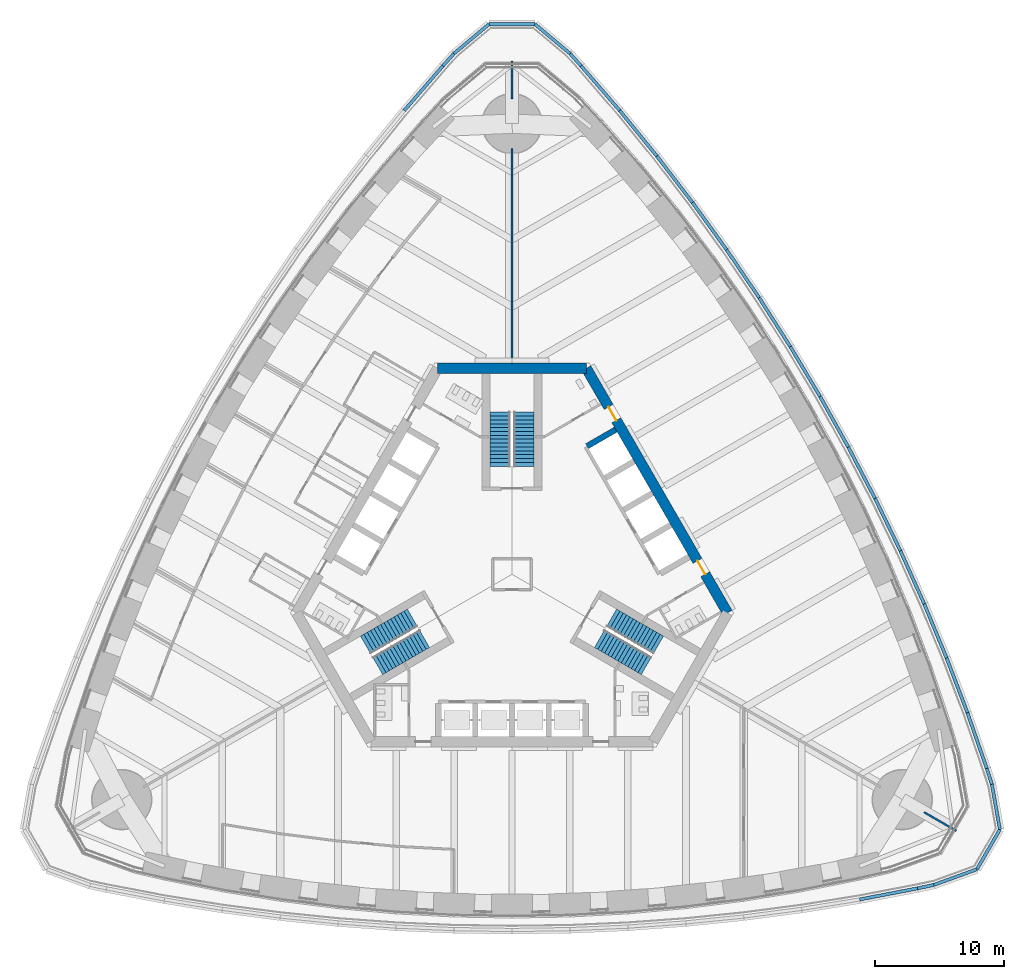
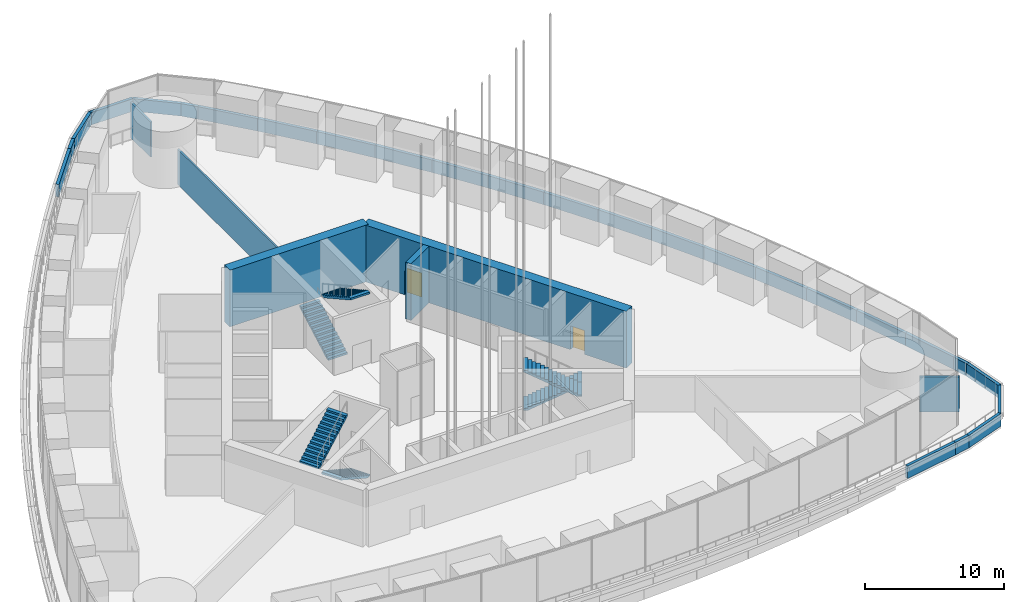
# One storey, part 17 of 33: 32 walls, 6 stair flights, 2 doors, 2 openings, 3 elements without a shape of their own.
"""IFC4 building model written with IfcOpenShell, lengths in metres."""

from ifc_helpers import new_model, si_unit, direction, frame, frame_2d, origin, place, context, subcontext, project, spatial, polyline, rectangle, outline, extrude, material, layer, layer_set, type_object, element, fill, aggregate, save


model = new_model("IFC4")

# Units and contexts
model_context = context("Model", 3, precision=1e-05, world=origin(), true_north=direction((0.0, 1.0)))
body_context = subcontext(model_context, "Body", "Model", "MODEL_VIEW")
ifc_project = project(units=[si_unit("LENGTHUNIT", "METRE"), si_unit("AREAUNIT", "SQUARE_METRE"), si_unit("VOLUMEUNIT", "CUBIC_METRE"), si_unit("PLANEANGLEUNIT", "RADIAN"), si_unit("MASSUNIT", "GRAM", prefix="KILO")], contexts=[model_context])

# Site, building, storey
site_placement = place(None, origin())
site = spatial("IfcSite", under=ifc_project, at=site_placement, CompositionType="ELEMENT")
building_placement = place(site_placement, origin())
building = spatial("IfcBuilding", under=site, at=building_placement, Name="Trefoil Bronze Tower", CompositionType="ELEMENT")
storey_placement = place(building_placement, frame((0.0, 0.0, 98.10009765625)))
storey = spatial("IfcBuildingStorey", under=building, at=storey_placement, Name="L22", CompositionType="ELEMENT", Elevation=98.10009765625)

# Wall, openings, doors
ifc_material_1 = material(Name="Concrete B80", Category="concrete")
ifc_layer_1 = layer(ifc_material_1, 0.800048828125)
ifc_layer_set_1 = layer_set([ifc_layer_1], Name="Core wall 800")
wall_type_1 = type_object("IfcWallType", Name="Core wall 800", PredefinedType="SHEAR", material=ifc_layer_set_1)
wall_1_placement = place(storey_placement, frame((16.7431640625, -3.0, 0.0), z_axis=(0.0, 0.0, 1.0), x_axis=(-0.500002442456, 0.866023993627, 0.0)))
wall_1 = element("IfcWall", 1, at=wall_1_placement, inside=storey, type_object=wall_type_1, Name="Core long wall 2 L22", PredefinedType="SHEAR", context=body_context, shape_type="SweptSolid", body=[
    extrude(rectangle(XDim=21.939453125, YDim=0.800048828125, at=frame_2d((10.9697265625, 0.0))), origin(), (0.0, 0.0, 1.0), 5.0),
])
opening_1_placement = place(wall_1_placement, frame((17.269775390625, 0.0, 0.0)))
opening_1 = element("IfcOpeningElement", 2, at=opening_1_placement, cuts=wall_1, Name="Opening D2", PredefinedType="OPENING", context=body_context, shape_type="SweptSolid", body=[
    extrude(rectangle(XDim=1.199951171875, YDim=2.10009765625, at=frame_2d((0.60009765625, 1.050048828125))), frame((0.0, 0.409912109375, 0.0), z_axis=(0.0, -1.0, 0.0), x_axis=(1.0, 0.0, 0.0)), (0.0, 0.0, 1.0), 0.820068359375),
])
opening_2_placement = place(wall_1_placement, frame((3.4697265625, 0.0, 0.0)))
opening_2 = element("IfcOpeningElement", 3, at=opening_2_placement, cuts=wall_1, Name="Opening D2", PredefinedType="OPENING", context=body_context, shape_type="SweptSolid", body=[
    extrude(rectangle(XDim=1.199951171875, YDim=2.10009765625, at=frame_2d((0.60009765625, 1.050048828125))), frame((0.0, 0.409912109375, 0.0), z_axis=(0.0, -1.0, 0.0), x_axis=(1.0, 0.0, 0.0)), (0.0, 0.0, 1.0), 0.820068359375),
])
ifc_material_2 = material(Name="Steel door", Category="steel")
door_type = type_object("IfcDoorType", Name="Lobby door 1200", OperationType="SINGLE_SWING_RIGHT", PredefinedType="DOOR", material=ifc_material_2)
door_1_placement = place(opening_1_placement, origin())
door_1 = element("IfcDoor", 4, at=door_1_placement, inside=storey, type_object=door_type, Name="Lobby door F2+ L22", OperationType="SINGLE_SWING_RIGHT", OverallHeight=2.10009765625, OverallWidth=1.199951171875, PredefinedType="DOOR", context=body_context, shape_type="SweptSolid", body=[
    extrude(rectangle(XDim=1.199951171875, YDim=2.10009765625, at=frame_2d((0.60009765625, 1.050048828125))), frame((0.0, 0.02490234375, 0.0), z_axis=(0.0, -1.0, 0.0), x_axis=(1.0, 0.0, 0.0)), (0.0, 0.0, 1.0), 0.050048828125),
])
fill(opening_1, door_1)
door_2_placement = place(opening_2_placement, origin())
door_2 = element("IfcDoor", 5, at=door_2_placement, inside=storey, type_object=door_type, Name="Lobby door F2- L22", OperationType="SINGLE_SWING_LEFT", OverallHeight=2.10009765625, OverallWidth=1.199951171875, PredefinedType="DOOR", context=body_context, shape_type="SweptSolid", body=[
    extrude(rectangle(XDim=1.199951171875, YDim=2.10009765625, at=frame_2d((0.60009765625, 1.050048828125))), frame((0.0, 0.02490234375, 0.0), z_axis=(0.0, -1.0, 0.0), x_axis=(1.0, 0.0, 0.0)), (0.0, 0.0, 1.0), 0.050048828125),
])
fill(opening_2, door_2)

# Walls
wall_2_placement = place(storey_placement, frame((5.7734375, 16.0, 0.0), z_axis=(0.0, 0.0, 1.0), x_axis=(-1.0, 0.0, 0.0)))
element("IfcWall", 6, at=wall_2_placement, inside=storey, type_object=wall_type_1, Name="Core short wall 2 L22", PredefinedType="SHEAR", context=body_context, shape_type="SweptSolid", body=[
    extrude(rectangle(XDim=11.546875, YDim=0.800048828125, at=frame_2d((5.7734375, 0.0))), origin(), (0.0, 0.0, 1.0), 5.0),
])
ifc_material_3 = material(Name="Concrete B80", Category="concrete")
ifc_layer_2 = layer(ifc_material_3, 0.449951171875)
ifc_layer_set_2 = layer_set([ifc_layer_2], Name="Outrigger shaft wall 450")
wall_type_2 = type_object("IfcWallType", Name="Outrigger shaft wall 450", PredefinedType="SHEAR", material=ifc_layer_set_2)
wall_3_placement = place(storey_placement, frame((5.831787109375, 9.94873046875, 0.0), z_axis=(0.0, 0.0, 1.0), x_axis=(0.866029291668, 0.499993265928, 0.0)))
element("IfcWall", 7, at=wall_3_placement, inside=storey, type_object=wall_type_2, Name="Lift shaft side wall B4 L22", PredefinedType="SHEAR", context=body_context, shape_type="SweptSolid", body=[
    extrude(rectangle(XDim=2.5751953125, YDim=0.449951171875, at=frame_2d((1.28759765625, 0.0))), origin(), (0.0, 0.0, 1.0), 5.0),
])
ifc_material_4 = material(Name="Concrete B80", Category="concrete")
ifc_layer_3 = layer(ifc_material_4, 0.25)
ifc_layer_set_3 = layer_set([ifc_layer_3], Name="Parapet 250")
wall_type_3 = type_object("IfcWallType", Name="Parapet 250", PredefinedType="PARAPET", material=ifc_layer_set_3)
wall_4_placement = place(storey_placement, frame((27.0, -25.25537109375, 0.0), z_axis=(0.0, 0.0, 1.0), x_axis=(0.982052021543, 0.188610251533, 0.0)))
element("IfcWall", 8, at=wall_4_placement, inside=storey, type_object=wall_type_3, Name="Parapet L22.15", PredefinedType="PARAPET", context=body_context, shape_type="SweptSolid", body=[
    extrude(rectangle(XDim=4.582275390625, YDim=0.25, at=frame_2d((2.291015625, 0.0))), origin(), (0.0, 0.0, 1.0), 1.099853515625),
])
wall_5_placement = place(storey_placement, frame((31.5, -24.39111328125, 0.0), z_axis=(0.0, 0.0, 1.0), x_axis=(0.978306217861, 0.207164051162, 0.0)))
element("IfcWall", 9, at=wall_5_placement, inside=storey, type_object=wall_type_3, Name="Parapet L22.16", PredefinedType="PARAPET", context=body_context, shape_type="SweptSolid", body=[
    extrude(rectangle(XDim=1.29052734375, YDim=0.25, at=frame_2d((0.645263671875, 0.0))), origin(), (0.0, 0.0, 1.0), 1.099853515625),
])
for number, where, z_axis, x_axis, name in (
    (10, (32.762451171875, -24.123779296875, 0.0), (0.0, 0.0, 1.0), (0.939695347797, 0.342012650832, 0.0), "Parapet L22.17"),
    (11, (36.1103515625, -22.9052734375, 0.0), (0.0, 0.0, 1.0), (0.499971593552, 0.866041803634, 0.0), "Parapet L22.18"),
    (12, (37.8916015625, -19.81982421875, 0.0), (0.0, 0.0, 1.0), (-0.17364850733, 0.984807694884, 0.0), "Parapet L22.19"),
):
    element("IfcWall", number, at=place(storey_placement, frame(where, z_axis=z_axis, x_axis=x_axis)), inside=storey, type_object=wall_type_3, Name=name, PredefinedType="PARAPET", context=body_context, shape_type="SweptSolid", body=[
        extrude(rectangle(XDim=3.562744140625, YDim=0.25, at=frame_2d((1.78125, 0.0))), origin(), (0.0, 0.0, 1.0), 1.099853515625),
    ])
wall_6_placement = place(storey_placement, frame((37.27294921875, -16.311279296875, 0.0), z_axis=(0.0, 0.0, 1.0), x_axis=(-0.309693449929, 0.950836456532, 0.0)))
element("IfcWall", 13, at=wall_6_placement, inside=storey, type_object=wall_type_3, Name="Parapet L22.20", PredefinedType="PARAPET", context=body_context, shape_type="SweptSolid", body=[
    extrude(rectangle(XDim=1.29052734375, YDim=0.25, at=frame_2d((0.645263671875, 0.0))), origin(), (0.0, 0.0, 1.0), 1.099853515625),
])
wall_7_placement = place(storey_placement, frame((36.873291015625, -15.084228515625, 0.0), z_axis=(0.0, 0.0, 1.0), x_axis=(-0.327664973678, 0.944793980201, 0.0)))
element("IfcWall", 14, at=wall_7_placement, inside=storey, type_object=wall_type_3, Name="Parapet L22.21", PredefinedType="PARAPET", context=body_context, shape_type="SweptSolid", body=[
    extrude(rectangle(XDim=4.582275390625, YDim=0.25, at=frame_2d((2.291015625, 0.0))), origin(), (0.0, 0.0, 1.0), 1.099853515625),
])
wall_8_placement = place(storey_placement, frame((35.371826171875, -10.7548828125, 0.0), z_axis=(0.0, 0.0, 1.0), x_axis=(-0.355369393324, 0.934725946087, 0.0)))
element("IfcWall", 15, at=wall_8_placement, inside=storey, type_object=wall_type_3, Name="Parapet L22.22", PredefinedType="PARAPET", context=body_context, shape_type="SweptSolid", body=[
    extrude(rectangle(XDim=4.558349609375, YDim=0.25, at=frame_2d((2.279296875, 0.0))), origin(), (0.0, 0.0, 1.0), 1.099853515625),
])
wall_9_placement = place(storey_placement, frame((33.751953125, -6.494140625, 0.0), z_axis=(0.0, 0.0, 1.0), x_axis=(-0.382639984525, 0.923897527999, 0.0)))
element("IfcWall", 16, at=wall_9_placement, inside=storey, type_object=wall_type_3, Name="Parapet L22.23", PredefinedType="PARAPET", context=body_context, shape_type="SweptSolid", body=[
    extrude(rectangle(XDim=4.5390625, YDim=0.25, at=frame_2d((2.26953125, 0.0))), origin(), (0.0, 0.0, 1.0), 1.099853515625),
])
wall_10_placement = place(storey_placement, frame((32.01513671875, -2.300537109375, 0.0), z_axis=(0.0, 0.0, 1.0), x_axis=(-0.409451055745, 0.912332084796, 0.0)))
element("IfcWall", 17, at=wall_10_placement, inside=storey, type_object=wall_type_3, Name="Parapet L22.24", PredefinedType="PARAPET", context=body_context, shape_type="SweptSolid", body=[
    extrude(rectangle(XDim=4.523193359375, YDim=0.25, at=frame_2d((2.26171875, 0.0))), origin(), (0.0, 0.0, 1.0), 1.099853515625),
])
wall_11_placement = place(storey_placement, frame((30.1630859375, 1.826171875, 0.0), z_axis=(0.0, 0.0, 1.0), x_axis=(-0.435857917556, 0.900015486369, 0.0)))
element("IfcWall", 18, at=wall_11_placement, inside=storey, type_object=wall_type_3, Name="Parapet L22.25", PredefinedType="PARAPET", context=body_context, shape_type="SweptSolid", body=[
    extrude(rectangle(XDim=4.511962890625, YDim=0.25, at=frame_2d((2.255859375, 0.0))), origin(), (0.0, 0.0, 1.0), 1.099853515625),
])
wall_12_placement = place(storey_placement, frame((28.196533203125, 5.886962890625, 0.0), z_axis=(0.0, 0.0, 1.0), x_axis=(-0.461852697957, 0.886956642339, 0.0)))
element("IfcWall", 19, at=wall_12_placement, inside=storey, type_object=wall_type_3, Name="Parapet L22.26", PredefinedType="PARAPET", context=body_context, shape_type="SweptSolid", body=[
    extrude(rectangle(XDim=4.50439453125, YDim=0.25, at=frame_2d((2.252197265625, 0.0))), origin(), (0.0, 0.0, 1.0), 1.099853515625),
])
wall_13_placement = place(storey_placement, frame((26.1162109375, 9.882080078125, 0.0), z_axis=(0.0, 0.0, 1.0), x_axis=(-0.487373854787, 0.873193406795, 0.0)))
element("IfcWall", 20, at=wall_13_placement, inside=storey, type_object=wall_type_3, Name="Parapet L22.27", PredefinedType="PARAPET", context=body_context, shape_type="SweptSolid", body=[
    extrude(rectangle(XDim=4.500244140625, YDim=0.25, at=frame_2d((2.25, 0.0))), origin(), (0.0, 0.0, 1.0), 1.099853515625),
])
wall_14_placement = place(storey_placement, frame((23.9228515625, 13.811767578125, 0.0), z_axis=(0.0, 0.0, 1.0), x_axis=(-0.51252396108, 0.858672923364, 0.0)))
element("IfcWall", 21, at=wall_14_placement, inside=storey, type_object=wall_type_3, Name="Parapet L22.28", PredefinedType="PARAPET", context=body_context, shape_type="SweptSolid", body=[
    extrude(rectangle(XDim=4.50048828125, YDim=0.25, at=frame_2d((2.250244140625, 0.0))), origin(), (0.0, 0.0, 1.0), 1.099853515625),
])
wall_15_placement = place(storey_placement, frame((21.6162109375, 17.67626953125, 0.0), z_axis=(0.0, 0.0, 1.0), x_axis=(-0.537205132487, 0.843451626135, 0.0)))
element("IfcWall", 22, at=wall_15_placement, inside=storey, type_object=wall_type_3, Name="Parapet L22.29", PredefinedType="PARAPET", context=body_context, shape_type="SweptSolid", body=[
    extrude(rectangle(XDim=4.504150390625, YDim=0.25, at=frame_2d((2.251953125, 0.0))), origin(), (0.0, 0.0, 1.0), 1.099853515625),
])
wall_16_placement = place(storey_placement, frame((19.196533203125, 21.475341796875, 0.0), z_axis=(0.0, 0.0, 1.0), x_axis=(-0.561512004239, 0.827468591002, 0.0)))
element("IfcWall", 23, at=wall_16_placement, inside=storey, type_object=wall_type_3, Name="Parapet L22.30", PredefinedType="PARAPET", context=body_context, shape_type="SweptSolid", body=[
    extrude(rectangle(XDim=4.51171875, YDim=0.25, at=frame_2d((2.255859375, 0.0))), origin(), (0.0, 0.0, 1.0), 1.099853515625),
])
wall_17_placement = place(storey_placement, frame((16.6630859375, 25.208740234375, 0.0), z_axis=(0.0, 0.0, 1.0), x_axis=(-0.585376255171, 0.810761765183, 0.0)))
element("IfcWall", 24, at=wall_17_placement, inside=storey, type_object=wall_type_3, Name="Parapet L22.31", PredefinedType="PARAPET", context=body_context, shape_type="SweptSolid", body=[
    extrude(rectangle(XDim=4.5234375, YDim=0.25, at=frame_2d((2.26171875, 0.0))), origin(), (0.0, 0.0, 1.0), 1.099853515625),
])
wall_18_placement = place(storey_placement, frame((14.01513671875, 28.876220703125, 0.0), z_axis=(0.0, 0.0, 1.0), x_axis=(-0.608784932975, 0.79333530451, 0.0)))
element("IfcWall", 25, at=wall_18_placement, inside=storey, type_object=wall_type_3, Name="Parapet L22.32", PredefinedType="PARAPET", context=body_context, shape_type="SweptSolid", body=[
    extrude(rectangle(XDim=4.538818359375, YDim=0.25, at=frame_2d((2.26953125, 0.0))), origin(), (0.0, 0.0, 1.0), 1.099853515625),
])
wall_19_placement = place(storey_placement, frame((11.251953125, 32.47705078125, 0.0), z_axis=(0.0, 0.0, 1.0), x_axis=(-0.631833879056, 0.775103831288, 0.0)))
element("IfcWall", 26, at=wall_19_placement, inside=storey, type_object=wall_type_3, Name="Parapet L22.33", PredefinedType="PARAPET", context=body_context, shape_type="SweptSolid", body=[
    extrude(rectangle(XDim=4.558349609375, YDim=0.25, at=frame_2d((2.279296875, 0.0))), origin(), (0.0, 0.0, 1.0), 1.099853515625),
])
wall_20_placement = place(storey_placement, frame((8.371826171875, 36.01025390625, 0.0), z_axis=(0.0, 0.0, 1.0), x_axis=(-0.654364441553, 0.756179329016, 0.0)))
element("IfcWall", 27, at=wall_20_placement, inside=storey, type_object=wall_type_3, Name="Parapet L22.34", PredefinedType="PARAPET", context=body_context, shape_type="SweptSolid", body=[
    extrude(rectangle(XDim=4.582275390625, YDim=0.25, at=frame_2d((2.291015625, 0.0))), origin(), (0.0, 0.0, 1.0), 1.099853515625),
])
wall_21_placement = place(storey_placement, frame((5.373291015625, 39.475341796875, 0.0), z_axis=(0.0, 0.0, 1.0), x_axis=(-0.668651072353, 0.743576319849, 0.0)))
element("IfcWall", 28, at=wall_21_placement, inside=storey, type_object=wall_type_3, Name="Parapet L22.35", PredefinedType="PARAPET", context=body_context, shape_type="SweptSolid", body=[
    extrude(rectangle(XDim=1.290283203125, YDim=0.25, at=frame_2d((0.64501953125, 0.0))), origin(), (0.0, 0.0, 1.0), 1.099853515625),
])
wall_22_placement = place(storey_placement, frame((4.510498046875, 40.434814453125, 0.0), z_axis=(0.0, 0.0, 1.0), x_axis=(-0.766020647606, 0.642815967009, 0.0)))
element("IfcWall", 29, at=wall_22_placement, inside=storey, type_object=wall_type_3, Name="Parapet L22.36", PredefinedType="PARAPET", context=body_context, shape_type="SweptSolid", body=[
    extrude(rectangle(XDim=3.56298828125, YDim=0.25, at=frame_2d((1.781494140625, 0.0))), origin(), (0.0, 0.0, 1.0), 1.099853515625),
])
wall_23_placement = place(storey_placement, frame((1.78125, 42.72509765625, 0.0), z_axis=(0.0, 0.0, 1.0), x_axis=(-1.0, 0.0, 0.0)))
element("IfcWall", 30, at=wall_23_placement, inside=storey, type_object=wall_type_3, Name="Parapet L22.37", PredefinedType="PARAPET", context=body_context, shape_type="SweptSolid", body=[
    extrude(rectangle(XDim=3.5625, YDim=0.25, at=frame_2d((1.78125, 0.0))), origin(), (0.0, 0.0, 1.0), 1.099853515625),
])
wall_24_placement = place(storey_placement, frame((-1.78125, 42.72509765625, 0.0), z_axis=(0.0, 0.0, 1.0), x_axis=(-0.766020647606, -0.642815967009, 0.0)))
element("IfcWall", 31, at=wall_24_placement, inside=storey, type_object=wall_type_3, Name="Parapet L22.38", PredefinedType="PARAPET", context=body_context, shape_type="SweptSolid", body=[
    extrude(rectangle(XDim=3.56298828125, YDim=0.25, at=frame_2d((1.781494140625, 0.0))), origin(), (0.0, 0.0, 1.0), 1.099853515625),
])
wall_25_placement = place(storey_placement, frame((-4.510498046875, 40.434814453125, 0.0), z_axis=(0.0, 0.0, 1.0), x_axis=(-0.668651072353, -0.743576319849, 0.0)))
element("IfcWall", 32, at=wall_25_placement, inside=storey, type_object=wall_type_3, Name="Parapet L22.39", PredefinedType="PARAPET", context=body_context, shape_type="SweptSolid", body=[
    extrude(rectangle(XDim=1.290283203125, YDim=0.25, at=frame_2d((0.64501953125, 0.0))), origin(), (0.0, 0.0, 1.0), 1.099853515625),
])
wall_26_placement = place(storey_placement, frame((-5.373291015625, 39.475341796875, 0.0), z_axis=(0.0, 0.0, 1.0), x_axis=(-0.654364441553, -0.756179329016, 0.0)))
element("IfcWall", 33, at=wall_26_placement, inside=storey, type_object=wall_type_3, Name="Parapet L22.40", PredefinedType="PARAPET", context=body_context, shape_type="SweptSolid", body=[
    extrude(rectangle(XDim=4.582275390625, YDim=0.25, at=frame_2d((2.291015625, 0.0))), origin(), (0.0, 0.0, 1.0), 1.099853515625),
])
ifc_material_5 = material(Name="Gypsum board on steel studs", Category="steel")
ifc_layer_4 = layer(ifc_material_5, 0.14990234375)
ifc_layer_set_4 = layer_set([ifc_layer_4], Name="Party wall 150")
wall_type_4 = type_object("IfcWallType", Name="Party wall 150", PredefinedType="PARTITIONING", material=ifc_layer_set_4)
wall_27_placement = place(storey_placement, frame((31.999755859375, -18.47509765625, 0.0), z_axis=(0.0, 0.0, 1.0), x_axis=(0.866042548026, -0.499970304126, 0.0)))
element("IfcWall", 34, at=wall_27_placement, inside=storey, type_object=wall_type_4, Name="Party wall K1 L22", PredefinedType="PARTITIONING", context=body_context, shape_type="SweptSolid", body=[
    extrude(rectangle(XDim=2.899169921875, YDim=0.14990234375, at=frame_2d((1.44970703125, 0.0))), origin(), (0.0, 0.0, 1.0), 3.099853515625),
])
wall_28_placement = place(storey_placement, frame((0.0, 16.39990234375, 0.0), z_axis=(0.0, 0.0, 1.0), x_axis=(0.0, 1.0, 0.0)))
element("IfcWall", 35, at=wall_28_placement, inside=storey, type_object=wall_type_4, Name="Party wall K2 L22", PredefinedType="PARTITIONING", context=body_context, shape_type="SweptSolid", body=[
    extrude(rectangle(XDim=16.650146484375, YDim=0.14990234375, at=frame_2d((8.3251953125, 0.0))), origin(), (0.0, 0.0, 1.0), 3.099853515625),
])
wall_29_placement = place(storey_placement, frame((0.0, 36.949951171875, 0.0), z_axis=(0.0, 0.0, 1.0), x_axis=(0.0, 1.0, 0.0)))
element("IfcWall", 36, at=wall_29_placement, inside=storey, type_object=wall_type_4, Name="Party wall K2 L22", PredefinedType="PARTITIONING", context=body_context, shape_type="SweptSolid", body=[
    extrude(rectangle(XDim=2.8994140625, YDim=0.14990234375, at=frame_2d((1.44970703125, 0.0))), origin(), (0.0, 0.0, 1.0), 3.099853515625),
])

# Stair, stair flights
ifc_material_6 = material(Name="Precast concrete B80", Category="concrete")
stair_type = type_object("IfcStairType", Name="Exit stair 30 risers", PredefinedType="HALF_TURN_STAIR", material=ifc_material_6)
stair_1_placement = place(storey_placement, origin())
stair_1 = element("IfcStair", 37, at=stair_1_placement, inside=storey, type_object=stair_type, Name="Stair ST1 L22", PredefinedType="HALF_TURN_STAIR")
ifc_material_7 = material(Name="Precast concrete B80", Category="concrete")
stair_flight_type = type_object("IfcStairFlightType", Name="Stair flight 1600", PredefinedType="STRAIGHT", material=ifc_material_7)
stair_flight_1_placement = place(storey_placement, frame((7.728515625, -3.39404296875, 0.0), z_axis=(0.0, 0.0, 1.0), x_axis=(0.866025403784, -0.5, 0.0)))
stair_flight_1 = element("IfcStairFlight", 38, at=stair_flight_1_placement, type_object=stair_flight_type, Name="ST1 flight 1", NumberOfRisers=15, NumberOfTreads=14, PredefinedType="STRAIGHT", RiserHeight=0.166666667, TreadLength=0.3, context=body_context, shape_type="SweptSolid", body=[
    extrude(outline(polyline([(0.0, 0.0), (0.0, 0.166748046875), (0.300048828125, 0.166748046875), (0.300048828125, 0.333251953125), (0.60009765625, 0.333251953125), (0.60009765625, 0.5), (0.89990234375, 0.5), (0.89990234375, 0.666748046875), (1.199951171875, 0.666748046875), (1.199951171875, 0.833251953125), (1.5, 0.833251953125), (1.5, 1.0), (1.800048828125, 1.0), (1.800048828125, 1.166748046875), (2.10009765625, 1.166748046875), (2.10009765625, 1.333251953125), (2.39990234375, 1.333251953125), (2.39990234375, 1.5), (2.699951171875, 1.5), (2.699951171875, 1.666748046875), (3.0, 1.666748046875), (3.0, 1.833251953125), (3.300048828125, 1.833251953125), (3.300048828125, 2.0), (3.60009765625, 2.0), (3.60009765625, 2.166748046875), (3.89990234375, 2.166748046875), (3.89990234375, 2.333251953125), (4.199951171875, 2.333251953125), (4.199951171875, 2.5), (4.199951171875, 2.161865234375), (0.30859375, 0.0), (0.0, 0.0)])), frame((0.0, 0.800048828125, 0.0), z_axis=(0.0, -1.0, 0.0), x_axis=(1.0, 0.0, 0.0)), (0.0, 0.0, 1.0), 1.60009765625),
])
stair_flight_2_placement = place(storey_placement, frame((10.440673828125, -7.09619140625, 2.5), z_axis=(0.0, 0.0, 1.0), x_axis=(-0.866025403784, 0.5, 0.0)))
stair_flight_2 = element("IfcStairFlight", 39, at=stair_flight_2_placement, type_object=stair_flight_type, Name="ST1 flight 2", NumberOfRisers=15, NumberOfTreads=14, PredefinedType="STRAIGHT", RiserHeight=0.166666667, TreadLength=0.3, context=body_context, shape_type="SweptSolid", body=[
    extrude(outline(polyline([(0.0, 0.0), (0.0, 0.166748046875), (0.300048828125, 0.166748046875), (0.300048828125, 0.333251953125), (0.60009765625, 0.333251953125), (0.60009765625, 0.5), (0.89990234375, 0.5), (0.89990234375, 0.666748046875), (1.199951171875, 0.666748046875), (1.199951171875, 0.833251953125), (1.5, 0.833251953125), (1.5, 1.0), (1.800048828125, 1.0), (1.800048828125, 1.166748046875), (2.10009765625, 1.166748046875), (2.10009765625, 1.333251953125), (2.39990234375, 1.333251953125), (2.39990234375, 1.5), (2.699951171875, 1.5), (2.699951171875, 1.666748046875), (3.0, 1.666748046875), (3.0, 1.833251953125), (3.300048828125, 1.833251953125), (3.300048828125, 2.0), (3.60009765625, 2.0), (3.60009765625, 2.166748046875), (3.89990234375, 2.166748046875), (3.89990234375, 2.333251953125), (4.199951171875, 2.333251953125), (4.199951171875, 2.5), (4.199951171875, 2.161865234375), (0.30859375, 0.0), (0.0, 0.0)])), frame((0.0, 0.800048828125, 0.0), z_axis=(0.0, -1.0, 0.0), x_axis=(1.0, 0.0, 0.0)), (0.0, 0.0, 1.0), 1.60009765625),
])
aggregate(stair_1, [stair_flight_1, stair_flight_2])

stair_2_placement = place(storey_placement, origin())
stair_2 = element("IfcStair", 40, at=stair_2_placement, inside=storey, type_object=stair_type, Name="Stair ST2 L22", PredefinedType="HALF_TURN_STAIR")
stair_flight_3_placement = place(storey_placement, frame((-0.925048828125, 8.389892578125, 0.0), z_axis=(0.0, 0.0, 1.0), x_axis=(0.0, 1.0, 0.0)))
stair_flight_3 = element("IfcStairFlight", 41, at=stair_flight_3_placement, type_object=stair_flight_type, Name="ST2 flight 1", NumberOfRisers=15, NumberOfTreads=14, PredefinedType="STRAIGHT", RiserHeight=0.166666667, TreadLength=0.3, context=body_context, shape_type="SweptSolid", body=[
    extrude(outline(polyline([(0.0, 0.0), (0.0, 0.166748046875), (0.300048828125, 0.166748046875), (0.300048828125, 0.333251953125), (0.60009765625, 0.333251953125), (0.60009765625, 0.5), (0.89990234375, 0.5), (0.89990234375, 0.666748046875), (1.199951171875, 0.666748046875), (1.199951171875, 0.833251953125), (1.5, 0.833251953125), (1.5, 1.0), (1.800048828125, 1.0), (1.800048828125, 1.166748046875), (2.10009765625, 1.166748046875), (2.10009765625, 1.333251953125), (2.39990234375, 1.333251953125), (2.39990234375, 1.5), (2.699951171875, 1.5), (2.699951171875, 1.666748046875), (3.0, 1.666748046875), (3.0, 1.833251953125), (3.300048828125, 1.833251953125), (3.300048828125, 2.0), (3.60009765625, 2.0), (3.60009765625, 2.166748046875), (3.89990234375, 2.166748046875), (3.89990234375, 2.333251953125), (4.199951171875, 2.333251953125), (4.199951171875, 2.5), (4.199951171875, 2.161865234375), (0.30859375, 0.0), (0.0, 0.0)])), frame((0.0, 0.800048828125, 0.0), z_axis=(0.0, -1.0, 0.0), x_axis=(1.0, 0.0, 0.0)), (0.0, 0.0, 1.0), 1.60009765625),
])
stair_flight_4_placement = place(storey_placement, frame((0.925048828125, 12.590087890625, 2.5), z_axis=(0.0, 0.0, 1.0), x_axis=(0.0, -1.0, 0.0)))
stair_flight_4 = element("IfcStairFlight", 42, at=stair_flight_4_placement, type_object=stair_flight_type, Name="ST2 flight 2", NumberOfRisers=15, NumberOfTreads=14, PredefinedType="STRAIGHT", RiserHeight=0.166666667, TreadLength=0.3, context=body_context, shape_type="SweptSolid", body=[
    extrude(outline(polyline([(0.0, 0.0), (0.0, 0.166748046875), (0.300048828125, 0.166748046875), (0.300048828125, 0.333251953125), (0.60009765625, 0.333251953125), (0.60009765625, 0.5), (0.89990234375, 0.5), (0.89990234375, 0.666748046875), (1.199951171875, 0.666748046875), (1.199951171875, 0.833251953125), (1.5, 0.833251953125), (1.5, 1.0), (1.800048828125, 1.0), (1.800048828125, 1.166748046875), (2.10009765625, 1.166748046875), (2.10009765625, 1.333251953125), (2.39990234375, 1.333251953125), (2.39990234375, 1.5), (2.699951171875, 1.5), (2.699951171875, 1.666748046875), (3.0, 1.666748046875), (3.0, 1.833251953125), (3.300048828125, 1.833251953125), (3.300048828125, 2.0), (3.60009765625, 2.0), (3.60009765625, 2.166748046875), (3.89990234375, 2.166748046875), (3.89990234375, 2.333251953125), (4.199951171875, 2.333251953125), (4.199951171875, 2.5), (4.199951171875, 2.161865234375), (0.30859375, 0.0), (0.0, 0.0)])), frame((0.0, 0.800048828125, 0.0), z_axis=(0.0, -1.0, 0.0), x_axis=(1.0, 0.0, 0.0)), (0.0, 0.0, 1.0), 1.60009765625),
])
aggregate(stair_2, [stair_flight_3, stair_flight_4])

stair_3_placement = place(storey_placement, origin())
stair_3 = element("IfcStair", 43, at=stair_3_placement, inside=storey, type_object=stair_type, Name="Stair ST3 L22", PredefinedType="HALF_TURN_STAIR")
stair_flight_5_placement = place(storey_placement, frame((-6.803466796875, -4.99609375, 0.0), z_axis=(0.0, 0.0, 1.0), x_axis=(-0.866025403784, -0.5, 0.0)))
stair_flight_5 = element("IfcStairFlight", 44, at=stair_flight_5_placement, type_object=stair_flight_type, Name="ST3 flight 1", NumberOfRisers=15, NumberOfTreads=14, PredefinedType="STRAIGHT", RiserHeight=0.166666667, TreadLength=0.3, context=body_context, shape_type="SweptSolid", body=[
    extrude(outline(polyline([(0.0, 0.0), (0.0, 0.166748046875), (0.300048828125, 0.166748046875), (0.300048828125, 0.333251953125), (0.60009765625, 0.333251953125), (0.60009765625, 0.5), (0.89990234375, 0.5), (0.89990234375, 0.666748046875), (1.199951171875, 0.666748046875), (1.199951171875, 0.833251953125), (1.5, 0.833251953125), (1.5, 1.0), (1.800048828125, 1.0), (1.800048828125, 1.166748046875), (2.10009765625, 1.166748046875), (2.10009765625, 1.333251953125), (2.39990234375, 1.333251953125), (2.39990234375, 1.5), (2.699951171875, 1.5), (2.699951171875, 1.666748046875), (3.0, 1.666748046875), (3.0, 1.833251953125), (3.300048828125, 1.833251953125), (3.300048828125, 2.0), (3.60009765625, 2.0), (3.60009765625, 2.166748046875), (3.89990234375, 2.166748046875), (3.89990234375, 2.333251953125), (4.199951171875, 2.333251953125), (4.199951171875, 2.5), (4.199951171875, 2.161865234375), (0.30859375, 0.0), (0.0, 0.0)])), frame((0.0, 0.800048828125, 0.0), z_axis=(0.0, -1.0, 0.0), x_axis=(1.0, 0.0, 0.0)), (0.0, 0.0, 1.0), 1.60009765625),
])
stair_flight_6_placement = place(storey_placement, frame((-11.36572265625, -5.493896484375, 2.5), z_axis=(0.0, 0.0, 1.0), x_axis=(0.866025403784, 0.5, 0.0)))
stair_flight_6 = element("IfcStairFlight", 45, at=stair_flight_6_placement, type_object=stair_flight_type, Name="ST3 flight 2", NumberOfRisers=15, NumberOfTreads=14, PredefinedType="STRAIGHT", RiserHeight=0.166666667, TreadLength=0.3, context=body_context, shape_type="SweptSolid", body=[
    extrude(outline(polyline([(0.0, 0.0), (0.0, 0.166748046875), (0.300048828125, 0.166748046875), (0.300048828125, 0.333251953125), (0.60009765625, 0.333251953125), (0.60009765625, 0.5), (0.89990234375, 0.5), (0.89990234375, 0.666748046875), (1.199951171875, 0.666748046875), (1.199951171875, 0.833251953125), (1.5, 0.833251953125), (1.5, 1.0), (1.800048828125, 1.0), (1.800048828125, 1.166748046875), (2.10009765625, 1.166748046875), (2.10009765625, 1.333251953125), (2.39990234375, 1.333251953125), (2.39990234375, 1.5), (2.699951171875, 1.5), (2.699951171875, 1.666748046875), (3.0, 1.666748046875), (3.0, 1.833251953125), (3.300048828125, 1.833251953125), (3.300048828125, 2.0), (3.60009765625, 2.0), (3.60009765625, 2.166748046875), (3.89990234375, 2.166748046875), (3.89990234375, 2.333251953125), (4.199951171875, 2.333251953125), (4.199951171875, 2.5), (4.199951171875, 2.161865234375), (0.30859375, 0.0), (0.0, 0.0)])), frame((0.0, 0.800048828125, 0.0), z_axis=(0.0, -1.0, 0.0), x_axis=(1.0, 0.0, 0.0)), (0.0, 0.0, 1.0), 1.60009765625),
])
aggregate(stair_3, [stair_flight_5, stair_flight_6])

save(model, "model.ifc")
